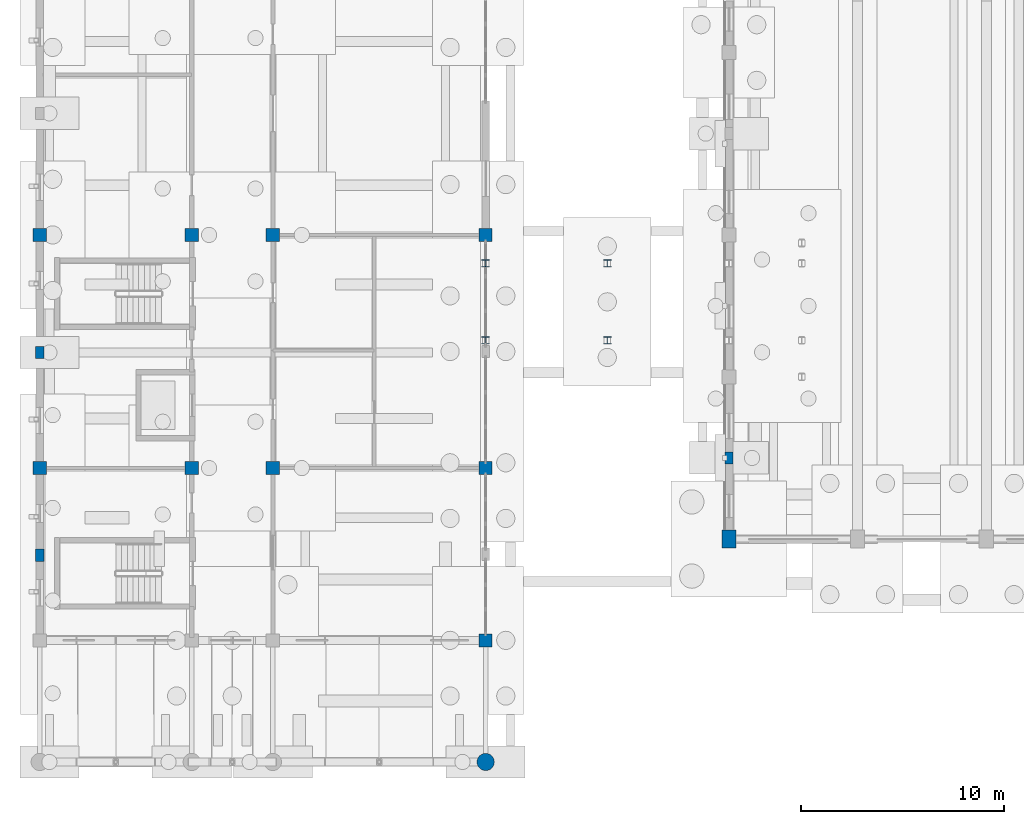
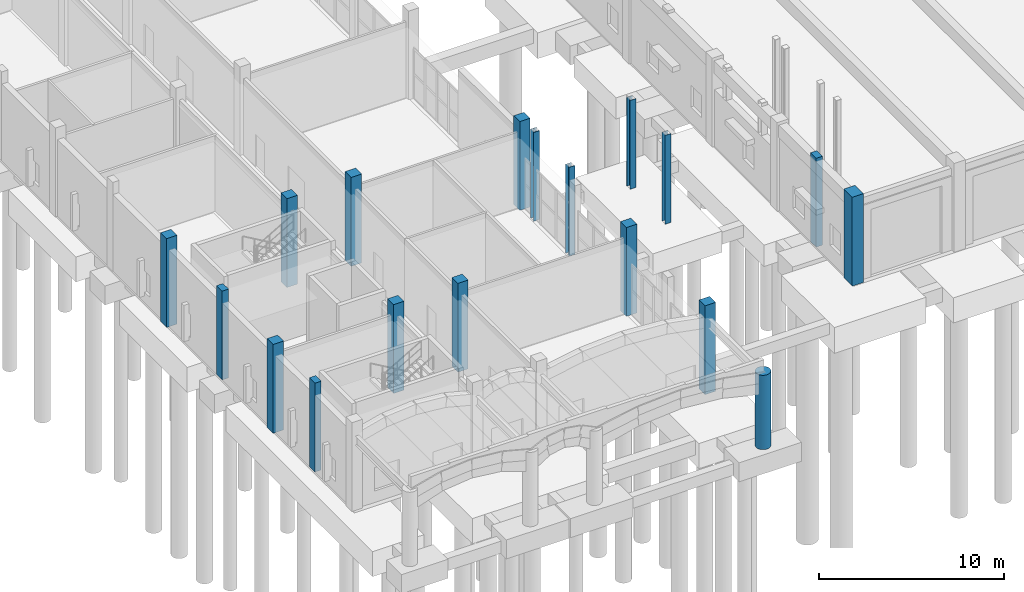
# One storey, part 9 of 60: 18 columns.
"""IFC4 building model written with IfcOpenShell, lengths in metres."""

from ifc_helpers import new_model, si_unit, direction, frame, origin, origin_2d, place, context, subcontext, project, spatial, rectangle, circle, i_section, extrude, material, material_profile, profile_set, type_object, element, save


model = new_model("IFC4")

# Units and contexts
model_context = context("Model", 3, precision=1e-05, world=origin(), true_north=direction((0.0, 1.0)))
body_context = subcontext(model_context, "Body", "Model", "MODEL_VIEW")
ifc_project = project(units=[si_unit("LENGTHUNIT", "METRE"), si_unit("AREAUNIT", "SQUARE_METRE"), si_unit("VOLUMEUNIT", "CUBIC_METRE"), si_unit("PLANEANGLEUNIT", "RADIAN"), si_unit("MASSUNIT", "GRAM", prefix="KILO")], contexts=[model_context])

# Site, building, storey
site_placement = place(None, origin())
site = spatial("IfcSite", under=ifc_project, at=site_placement, CompositionType="ELEMENT")
building_placement = place(site_placement, origin())
building = spatial("IfcBuilding", under=site, at=building_placement, Name="Trellovar Central Fire Station", CompositionType="ELEMENT")
storey_placement = place(building_placement, origin())
storey = spatial("IfcBuildingStorey", under=building, at=storey_placement, Name="L01", CompositionType="ELEMENT", Elevation=0.0)

# Columns
ifc_material_1 = material(Name="Concrete C40/50", Category="concrete")
ifc_material_profile_1 = material_profile(ifc_material_1, circle(Radius=0.425048828125, at=origin_2d()), Name="RCD850")
ifc_profile_set_1 = profile_set([ifc_material_profile_1], Name="Concrete C40/50")
column_type_1 = type_object("IfcColumnType", Name="COL-C10", PredefinedType="COLUMN", material=ifc_profile_set_1)
column_1_placement = place(storey_placement, frame((23.0, 3.0, 0.0), z_axis=(0.0, 0.0, 1.0), x_axis=(1.0, 0.0, 0.0)))
element("IfcColumn", 1, at=column_1_placement, inside=storey, type_object=column_type_1, Name="West boulevard Catalan arcade pier (23.0,3.0)", PredefinedType="COLUMN", context=body_context, shape_type="SweptSolid", body=[
    extrude(circle(Radius=0.425048828125, at=origin_2d()), origin(), (0.0, 0.0, 1.0), 4.89990234375),
])
ifc_material_2 = material(Name="Concrete C40/50", Category="concrete")
ifc_material_profile_2 = material_profile(ifc_material_2, rectangle(XDim=0.699951171875, YDim=0.89990234375, at=origin_2d()), Name="RC700X900")
ifc_profile_set_2 = profile_set([ifc_material_profile_2], Name="Concrete C40/50")
column_type_2 = type_object("IfcColumnType", Name="COL-C3", PredefinedType="COLUMN", material=ifc_profile_set_2)
column_2_placement = place(storey_placement, frame((35.0, 14.0, 0.0), z_axis=(0.0, 0.0, 1.0), x_axis=(1.0, 0.0, 0.0)))
element("IfcColumn", 2, at=column_2_placement, inside=storey, type_object=column_type_2, Name="V1 south vault pier L01 X=35.00", PredefinedType="COLUMN", context=body_context, shape_type="SweptSolid", body=[
    extrude(rectangle(XDim=0.699951171875, YDim=0.89990234375, at=origin_2d()), origin(), (0.0, 0.0, 1.0), 5.85009765625),
])
ifc_material_3 = material(Name="Concrete C40/50", Category="concrete")
ifc_material_profile_3 = material_profile(ifc_material_3, rectangle(XDim=0.64990234375, YDim=0.64990234375, at=origin_2d()), Name="RC650X650")
ifc_profile_set_3 = profile_set([ifc_material_profile_3], Name="Concrete C40/50")
column_type_3 = type_object("IfcColumnType", Name="COL-C5", PredefinedType="COLUMN", material=ifc_profile_set_3)
for number, where, z_axis, x_axis, name in (
    (3, (1.0, 17.5, 0.0), (0.0, 0.0, 1.0), (1.0, 0.0, 0.0), "L01 column C-5"),
    (4, (1.0, 29.0, 0.0), (0.0, 0.0, 1.0), (1.0, 0.0, 0.0), "L01 column C-5"),
    (5, (8.5, 17.5, 0.0), (0.0, 0.0, 1.0), (1.0, 0.0, 0.0), "L01 column C-5"),
    (6, (8.5, 29.0, 0.0), (0.0, 0.0, 1.0), (1.0, 0.0, 0.0), "L01 column C-5"),
    (7, (12.5, 17.5, 0.0), (0.0, 0.0, 1.0), (1.0, 0.0, 0.0), "L01 column C-5"),
    (8, (12.5, 29.0, 0.0), (0.0, 0.0, 1.0), (1.0, 0.0, 0.0), "L01 column C-5"),
    (9, (23.0, 9.0, 0.0), (0.0, 0.0, 1.0), (1.0, 0.0, 0.0), "L01 column C-5"),
    (10, (23.0, 17.5, 0.0), (0.0, 0.0, 1.0), (1.0, 0.0, 0.0), "L01 column C-5"),
    (11, (23.0, 29.0, 0.0), (0.0, 0.0, 1.0), (1.0, 0.0, 0.0), "L01 column C-5"),
):
    element("IfcColumn", number, at=place(storey_placement, frame(where, z_axis=z_axis, x_axis=x_axis)), inside=storey, type_object=column_type_3, Name=name, PredefinedType="COLUMN", context=body_context, shape_type="SweptSolid", body=[
        extrude(rectangle(XDim=0.64990234375, YDim=0.64990234375, at=origin_2d()), origin(), (0.0, 0.0, 1.0), 5.85009765625),
    ])
ifc_material_4 = material(Name="Concrete C40/50", Category="concrete")
ifc_material_profile_4 = material_profile(ifc_material_4, rectangle(XDim=0.39990234375, YDim=0.60009765625, at=origin_2d()), Name="RC400X600")
ifc_profile_set_4 = profile_set([ifc_material_profile_4], Name="Concrete C40/50")
column_type_4 = type_object("IfcColumnType", Name="COL-PIL1", PredefinedType="PILASTER", material=ifc_profile_set_4)
for number, where, z_axis, x_axis, name in (
    (12, (1.0, 13.199951171875, 0.0), (0.0, 0.0, 1.0), (1.0, 0.0, 0.0), "V4 west projecting sun-pier L01-1"),
    (13, (1.0, 23.199951171875, 0.0), (0.0, 0.0, 1.0), (1.0, 0.0, 0.0), "V4 west projecting sun-pier L01-2"),
    (14, (35.0, 18.0, 0.0), (0.0, 0.0, 1.0), (1.0, 0.0, 0.0), "V1 polychrome gable buttress pier 1"),
):
    element("IfcColumn", number, at=place(storey_placement, frame(where, z_axis=z_axis, x_axis=x_axis)), inside=storey, type_object=column_type_4, Name=name, PredefinedType="PILASTER", context=body_context, shape_type="SweptSolid", body=[
        extrude(rectangle(XDim=0.39990234375, YDim=0.60009765625, at=origin_2d()), origin(), (0.0, 0.0, 1.0), 5.85009765625),
    ])
ifc_material_5 = material(Name="Steel ASTM A992 Grade 50", Category="steel")
ifc_material_profile_5 = material_profile(ifc_material_5, i_section(OverallWidth=0.368896484375, OverallDepth=0.356201171875, WebThickness=0.01123046875, FlangeThickness=0.01806640625, FilletRadius=0.01513671875, at=origin_2d()), Name="W14X90")
ifc_profile_set_5 = profile_set([ifc_material_profile_5], Name="Steel ASTM A992 Grade 50")
column_type_5 = type_object("IfcColumnType", Name="COL-SC1", PredefinedType="COLUMN", material=ifc_profile_set_5)
for number, where, z_axis, x_axis, name in (
    (15, (23.0, 23.800048828125, 0.0), (0.0, 0.0, 1.0), (1.0, 0.0, 0.0), "Cloister bridge pier L01"),
    (16, (29.0, 23.800048828125, 0.0), (0.0, 0.0, 1.0), (1.0, 0.0, 0.0), "Cloister bridge pier L01"),
    (17, (23.0, 27.60009765625, 0.0), (0.0, 0.0, 1.0), (1.0, 0.0, 0.0), "Cloister bridge pier L01"),
    (18, (29.0, 27.60009765625, 0.0), (0.0, 0.0, 1.0), (1.0, 0.0, 0.0), "Cloister bridge pier L01"),
):
    element("IfcColumn", number, at=place(storey_placement, frame(where, z_axis=z_axis, x_axis=x_axis)), inside=storey, type_object=column_type_5, Name=name, PredefinedType="COLUMN", context=body_context, shape_type="SweptSolid", body=[
        extrude(i_section(OverallWidth=0.368896484375, OverallDepth=0.356201171875, WebThickness=0.01123046875, FlangeThickness=0.01806640625, FilletRadius=0.01513671875, at=origin_2d()), origin(), (0.0, 0.0, 1.0), 5.85009765625),
    ])

save(model, "model.ifc")
